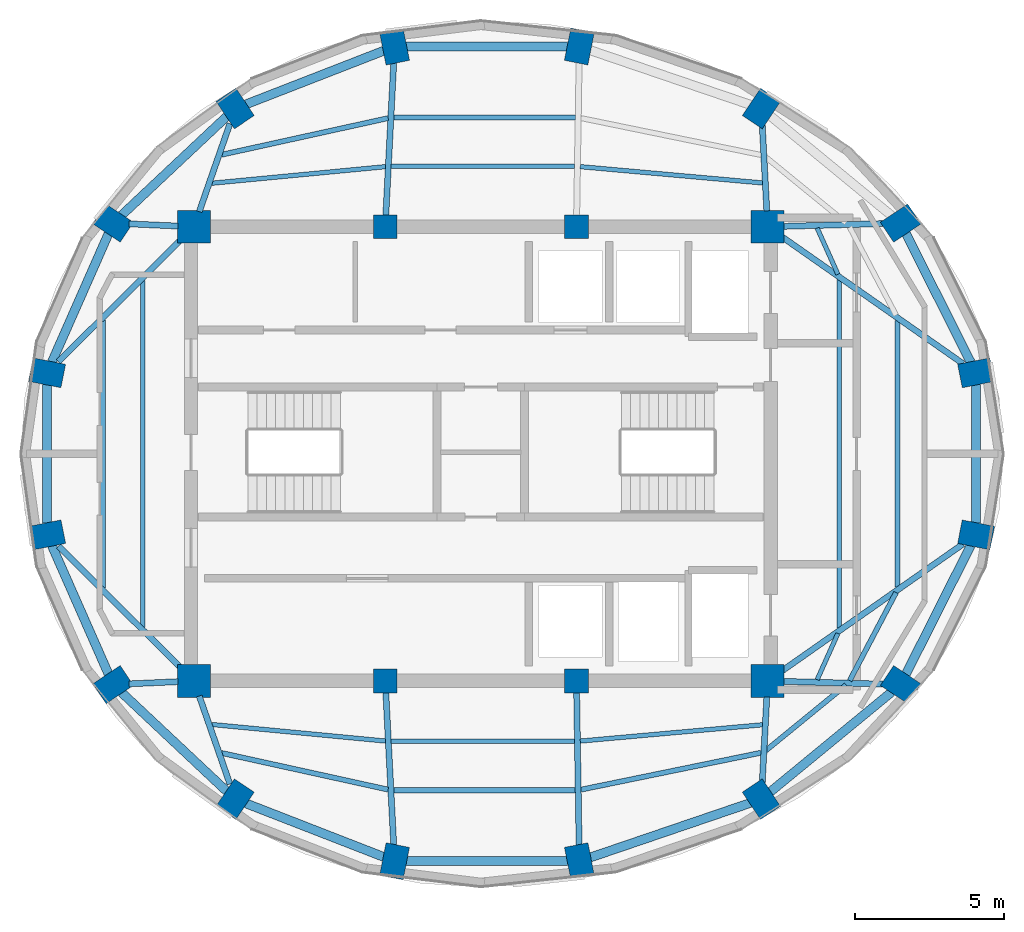
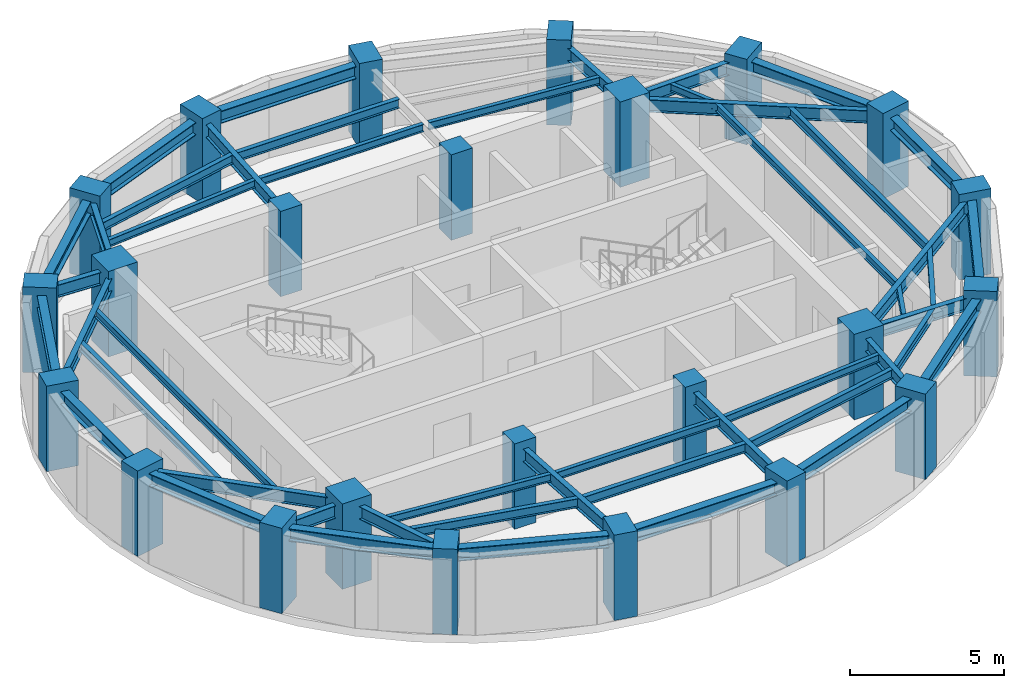
# One storey, part 1 of 5: 48 beams, 24 columns.
"""IFC4 building model written with IfcOpenShell, lengths in metres."""

from ifc_helpers import new_model, si_unit, direction, frame, origin, origin_2d, place, context, subcontext, project, spatial, rectangle, i_section, extrude, material, material_profile, profile_set, type_object, element, save


model = new_model("IFC4")

# Units and contexts
model_context = context("Model", 3, precision=1e-05, world=origin(), true_north=direction((0.0, 1.0)))
body_context = subcontext(model_context, "Body", "Model", "MODEL_VIEW")
ifc_project = project(units=[si_unit("LENGTHUNIT", "METRE"), si_unit("AREAUNIT", "SQUARE_METRE"), si_unit("VOLUMEUNIT", "CUBIC_METRE"), si_unit("PLANEANGLEUNIT", "RADIAN"), si_unit("MASSUNIT", "GRAM", prefix="KILO")], contexts=[model_context])

# Site, building, storey
site_placement = place(None, origin())
site = spatial("IfcSite", under=ifc_project, at=site_placement, CompositionType="ELEMENT")
building_placement = place(site_placement, origin())
building = spatial("IfcBuilding", under=site, at=building_placement, Name="Lazwardi Medical Tower", CompositionType="ELEMENT")
storey_placement = place(building_placement, frame((0.0, 0.0, 302.447998046875)))
storey = spatial("IfcBuildingStorey", under=building, at=storey_placement, Name="L79", CompositionType="ELEMENT", Elevation=302.447998046875)

# Columns
ifc_material_1 = material(Name="Concrete C80/95", Category="concrete")
ifc_material_profile_1 = material_profile(ifc_material_1, rectangle(XDim=1.10009765625, YDim=1.10009765625, at=origin_2d()), Name="RC 1100x1100")
ifc_profile_set_1 = profile_set([ifc_material_profile_1], Name="Concrete C80/95")
column_type_1 = type_object("IfcColumnType", Name="COL-CC-L", PredefinedType="COLUMN", material=ifc_profile_set_1)
for number, where, z_axis, x_axis, name in (
    (1, (26.39990234375, 20.39990234375, 0.0), (0.0, 0.0, 1.0), (1.0, 0.0, 0.0), "Core column CC-01 CC1 L79"),
    (2, (45.60009765625, 20.39990234375, 0.0), (0.0, 0.0, 1.0), (1.0, 0.0, 0.0), "Core column CC-01 CC4 L79"),
    (3, (45.60009765625, 35.60009765625, 0.0), (0.0, 0.0, 1.0), (1.0, 0.0, 0.0), "Core column CC-01 CC5 L79"),
    (4, (26.39990234375, 35.60009765625, 0.0), (0.0, 0.0, 1.0), (1.0, 0.0, 0.0), "Core column CC-01 CC8 L79"),
):
    element("IfcColumn", number, at=place(storey_placement, frame(where, z_axis=z_axis, x_axis=x_axis)), inside=storey, type_object=column_type_1, Name=name, PredefinedType="COLUMN", context=body_context, shape_type="SweptSolid", body=[
        extrude(rectangle(XDim=1.10009765625, YDim=1.10009765625, at=origin_2d()), origin(), (0.0, 0.0, 1.0), 3.387939453125),
    ])
ifc_material_2 = material(Name="Concrete C60/75", Category="concrete")
ifc_material_profile_2 = material_profile(ifc_material_2, rectangle(XDim=0.800048828125, YDim=0.800048828125, at=origin_2d()), Name="RC 800x800")
ifc_profile_set_2 = profile_set([ifc_material_profile_2], Name="Concrete C60/75")
column_type_2 = type_object("IfcColumnType", Name="COL-CC-U", PredefinedType="COLUMN", material=ifc_profile_set_2)
for number, where, z_axis, x_axis, name in (
    (5, (32.800048828125, 20.39990234375, 0.0), (0.0, 0.0, 1.0), (1.0, 0.0, 0.0), "Core column CC-03 CC2 L79"),
    (6, (39.199951171875, 20.39990234375, 0.0), (0.0, 0.0, 1.0), (1.0, 0.0, 0.0), "Core column CC-03 CC3 L79"),
    (7, (39.199951171875, 35.60009765625, 0.0), (0.0, 0.0, 1.0), (1.0, 0.0, 0.0), "Core column CC-03 CC6 L79"),
    (8, (32.800048828125, 35.60009765625, 0.0), (0.0, 0.0, 1.0), (1.0, 0.0, 0.0), "Core column CC-03 CC7 L79"),
):
    element("IfcColumn", number, at=place(storey_placement, frame(where, z_axis=z_axis, x_axis=x_axis)), inside=storey, type_object=column_type_2, Name=name, PredefinedType="COLUMN", context=body_context, shape_type="SweptSolid", body=[
        extrude(rectangle(XDim=0.800048828125, YDim=0.800048828125, at=origin_2d()), origin(), (0.0, 0.0, 1.0), 3.387939453125),
    ])
ifc_material_profile_3 = material_profile(ifc_material_2, rectangle(XDim=1.10009765625, YDim=0.800048828125, at=origin_2d()), Name="CFT-RECT 1100x800")
ifc_profile_set_3 = profile_set([ifc_material_profile_3], Name="Concrete C60/75")
column_type_3 = type_object("IfcColumnType", Name="COL-MC-Z4", PredefinedType="COLUMN", material=ifc_profile_set_3)
for number, where, z_axis, x_axis, name in (
    (9, (39.297119140625, 14.3671875, 0.0), (0.0, 0.0, 1.0), (0.195090322016, -0.980785280403, 0.0), "Mega column MC-06 M01 L79"),
    (10, (45.38916015625, 16.442626953125, 0.0), (0.0, 0.0, 1.0), (0.55557023302, -0.831469612303, 0.0), "Mega column MC-06 M02 L79"),
    (11, (50.0517578125, 20.277587890625, 0.0), (0.0, 0.0, 1.0), (0.831469612303, -0.55557023302, 0.0), "Mega column MC-06 M03 L79"),
    (12, (52.5751953125, 25.2880859375, 0.0), (0.0, 0.0, 1.0), (0.980785280403, -0.195090322016, 0.0), "Mega column MC-06 M04 L79"),
    (13, (52.5751953125, 30.7119140625, 0.0), (0.0, 0.0, 1.0), (0.980785280403, 0.195090322016, 0.0), "Mega column MC-06 M05 L79"),
    (14, (50.0517578125, 35.722412109375, 0.0), (0.0, 0.0, 1.0), (0.831469612303, 0.55557023302, 0.0), "Mega column MC-06 M06 L79"),
    (15, (45.38916015625, 39.557373046875, 0.0), (0.0, 0.0, 1.0), (0.55557023302, 0.831469612303, 0.0), "Mega column MC-06 M07 L79"),
    (16, (39.297119140625, 41.6328125, 0.0), (0.0, 0.0, 1.0), (0.195090322016, 0.980785280403, 0.0), "Mega column MC-06 M08 L79"),
    (17, (33.11279296875, 41.6328125, 0.0), (0.0, 0.0, 1.0), (-0.195090322016, 0.980785280403, 0.0), "Mega column MC-06 M09 L79"),
    (18, (27.777587890625, 39.557373046875, 0.0), (0.0, 0.0, 1.0), (-0.55557023302, 0.831469612303, 0.0), "Mega column MC-06 M10 L79"),
    (19, (23.694091796875, 35.722412109375, 0.0), (0.0, 0.0, 1.0), (-0.831469612303, 0.55557023302, 0.0), "Mega column MC-06 M11 L79"),
    (20, (21.484375, 30.7119140625, 0.0), (0.0, 0.0, 1.0), (-0.980785280403, 0.195090322016, 0.0), "Mega column MC-06 M12 L79"),
    (21, (21.484375, 25.2880859375, 0.0), (0.0, 0.0, 1.0), (-0.980785280403, -0.195090322016, 0.0), "Mega column MC-06 M13 L79"),
    (22, (23.694091796875, 20.277587890625, 0.0), (0.0, 0.0, 1.0), (-0.831469612303, -0.55557023302, 0.0), "Mega column MC-06 M14 L79"),
    (23, (27.777587890625, 16.442626953125, 0.0), (0.0, 0.0, 1.0), (-0.55557023302, -0.831469612303, 0.0), "Mega column MC-06 M15 L79"),
    (24, (33.11279296875, 14.3671875, 0.0), (0.0, 0.0, 1.0), (-0.195090322016, -0.980785280403, 0.0), "Mega column MC-06 M16 L79"),
):
    element("IfcColumn", number, at=place(storey_placement, frame(where, z_axis=z_axis, x_axis=x_axis)), inside=storey, type_object=column_type_3, Name=name, PredefinedType="COLUMN", context=body_context, shape_type="SweptSolid", body=[
        extrude(rectangle(XDim=1.10009765625, YDim=0.800048828125, at=origin_2d()), origin(), (0.0, 0.0, 1.0), 3.387939453125),
    ])

# Beams
ifc_material_3 = material(Name="Steel S355", Category="steel")
ifc_material_profile_4 = material_profile(ifc_material_3, i_section(OverallWidth=0.300048828125, OverallDepth=0.5, WebThickness=0.014404296875, FlangeThickness=0.028076171875, at=origin_2d()), Name="HEB 500")
ifc_profile_set_4 = profile_set([ifc_material_profile_4], Name="Steel S355")
beam_type_1 = type_object("IfcBeamType", Name="BM-RB-Z4", PredefinedType="BEAM", material=ifc_profile_set_4)
beam_1_placement = place(storey_placement, frame((39.666259765625, 14.492919921875, 2.818115234375), z_axis=(0.94657339, 0.322488476296, 0.0), x_axis=(-0.322488476296, 0.94657339, 0.0)))
element("IfcBeam", 25, at=beam_1_placement, inside=storey, type_object=beam_type_1, Name="Ring beam RB-05 B01 L79", PredefinedType="BEAM", context=body_context, shape_type="SweptSolid", body=[
    extrude(i_section(OverallWidth=0.300048828125, OverallDepth=0.5, WebThickness=0.014404296875, FlangeThickness=0.028076171875, at=origin_2d()), origin(), (0.0, 0.0, 1.0), 5.656005859375),
])
beam_2_placement = place(storey_placement, frame((45.690185546875, 16.690185546875, 2.818115234375), z_axis=(0.772320174437, 0.635233459571, 0.0), x_axis=(-0.635233459571, 0.772320174437, 0.0)))
element("IfcBeam", 26, at=beam_2_placement, inside=storey, type_object=beam_type_1, Name="Ring beam RB-05 B02 L79", PredefinedType="BEAM", context=body_context, shape_type="SweptSolid", body=[
    extrude(i_section(OverallWidth=0.300048828125, OverallDepth=0.5, WebThickness=0.014404296875, FlangeThickness=0.028076171875, at=origin_2d()), origin(), (0.0, 0.0, 1.0), 5.25732421875),
])
beam_3_placement = place(storey_placement, frame((50.227294921875, 20.6259765625, 2.818115234375), z_axis=(0.449799625666, 0.89312949607, 0.0), x_axis=(-0.89312949607, 0.449799625666, 0.0)))
element("IfcBeam", 27, at=beam_3_placement, inside=storey, type_object=beam_type_1, Name="Ring beam RB-05 B03 L79", PredefinedType="BEAM", context=body_context, shape_type="SweptSolid", body=[
    extrude(i_section(OverallWidth=0.300048828125, OverallDepth=0.5, WebThickness=0.014404296875, FlangeThickness=0.028076171875, at=origin_2d()), origin(), (0.0, 0.0, 1.0), 4.830078125),
])
beam_4_placement = place(storey_placement, frame((52.5751953125, 25.67822265625, 2.818115234375), z_axis=(0.0, 1.0, 0.0), x_axis=(-1.0, 0.0, 0.0)))
element("IfcBeam", 28, at=beam_4_placement, inside=storey, type_object=beam_type_1, Name="Ring beam RB-05 B04 L79", PredefinedType="BEAM", context=body_context, shape_type="SweptSolid", body=[
    extrude(i_section(OverallWidth=0.300048828125, OverallDepth=0.5, WebThickness=0.014404296875, FlangeThickness=0.028076171875, at=origin_2d()), origin(), (0.0, 0.0, 1.0), 4.6435546875),
])
beam_5_placement = place(storey_placement, frame((52.39990234375, 31.06005859375, 2.818115234375), z_axis=(-0.449799625666, 0.89312949607, 0.0), x_axis=(-0.89312949607, -0.449799625666, 0.0)))
element("IfcBeam", 29, at=beam_5_placement, inside=storey, type_object=beam_type_1, Name="Ring beam RB-05 B05 L79", PredefinedType="BEAM", context=body_context, shape_type="SweptSolid", body=[
    extrude(i_section(OverallWidth=0.300048828125, OverallDepth=0.5, WebThickness=0.014404296875, FlangeThickness=0.028076171875, at=origin_2d()), origin(), (0.0, 0.0, 1.0), 4.830078125),
])
beam_6_placement = place(storey_placement, frame((38.906982421875, 41.6328125, 2.818115234375), z_axis=(-1.0, 0.0, 0.0), x_axis=(0.0, -1.0, 0.0)))
element("IfcBeam", 30, at=beam_6_placement, inside=storey, type_object=beam_type_1, Name="Ring beam RB-05 B08 L79", PredefinedType="BEAM", context=body_context, shape_type="SweptSolid", body=[
    extrude(i_section(OverallWidth=0.300048828125, OverallDepth=0.5, WebThickness=0.014404296875, FlangeThickness=0.028076171875, at=origin_2d()), origin(), (0.0, 0.0, 1.0), 5.404296875),
])
beam_7_placement = place(storey_placement, frame((32.749267578125, 41.491455078125, 2.818115234375), z_axis=(-0.931959260109, -0.362563011761, 0.0), x_axis=(0.362563011761, -0.931959260109, 0.0)))
element("IfcBeam", 31, at=beam_7_placement, inside=storey, type_object=beam_type_1, Name="Ring beam RB-05 B09 L79", PredefinedType="BEAM", context=body_context, shape_type="SweptSolid", body=[
    extrude(i_section(OverallWidth=0.300048828125, OverallDepth=0.5, WebThickness=0.014404296875, FlangeThickness=0.028076171875, at=origin_2d()), origin(), (0.0, 0.0, 1.0), 4.944580078125),
])
beam_8_placement = place(storey_placement, frame((27.493408203125, 39.290283203125, 2.818115234375), z_axis=(-0.728960615285, -0.684555637887, 0.0), x_axis=(0.684555637887, -0.728960615285, 0.0)))
element("IfcBeam", 32, at=beam_8_placement, inside=storey, type_object=beam_type_1, Name="Ring beam RB-05 B10 L79", PredefinedType="BEAM", context=body_context, shape_type="SweptSolid", body=[
    extrude(i_section(OverallWidth=0.300048828125, OverallDepth=0.5, WebThickness=0.014404296875, FlangeThickness=0.028076171875, at=origin_2d()), origin(), (0.0, 0.0, 1.0), 4.82177734375),
])
beam_9_placement = place(storey_placement, frame((23.536865234375, 35.365478515625, 2.818115234375), z_axis=(-0.403522451548, -0.914969743268, 0.0), x_axis=(0.914969743268, -0.403522451548, 0.0)))
element("IfcBeam", 33, at=beam_9_placement, inside=storey, type_object=beam_type_1, Name="Ring beam RB-05 B11 L79", PredefinedType="BEAM", context=body_context, shape_type="SweptSolid", body=[
    extrude(i_section(OverallWidth=0.300048828125, OverallDepth=0.5, WebThickness=0.014404296875, FlangeThickness=0.028076171875, at=origin_2d()), origin(), (0.0, 0.0, 1.0), 4.6962890625),
])
beam_10_placement = place(storey_placement, frame((21.484375, 30.32177734375, 2.818115234375), z_axis=(0.0, -1.0, 0.0), x_axis=(1.0, 0.0, 0.0)))
element("IfcBeam", 34, at=beam_10_placement, inside=storey, type_object=beam_type_1, Name="Ring beam RB-05 B12 L79", PredefinedType="BEAM", context=body_context, shape_type="SweptSolid", body=[
    extrude(i_section(OverallWidth=0.300048828125, OverallDepth=0.5, WebThickness=0.014404296875, FlangeThickness=0.028076171875, at=origin_2d()), origin(), (0.0, 0.0, 1.0), 4.6435546875),
])
beam_11_placement = place(storey_placement, frame((21.641845703125, 24.931396484375, 2.818115234375), z_axis=(0.403522451548, -0.914969743268, 0.0), x_axis=(0.914969743268, 0.403522451548, 0.0)))
element("IfcBeam", 35, at=beam_11_placement, inside=storey, type_object=beam_type_1, Name="Ring beam RB-05 B13 L79", PredefinedType="BEAM", context=body_context, shape_type="SweptSolid", body=[
    extrude(i_section(OverallWidth=0.300048828125, OverallDepth=0.5, WebThickness=0.014404296875, FlangeThickness=0.028076171875, at=origin_2d()), origin(), (0.0, 0.0, 1.0), 4.6962890625),
])
beam_12_placement = place(storey_placement, frame((23.978515625, 20.010498046875, 2.818115234375), z_axis=(0.728960615285, -0.684555637887, 0.0), x_axis=(0.684555637887, 0.728960615285, 0.0)))
element("IfcBeam", 36, at=beam_12_placement, inside=storey, type_object=beam_type_1, Name="Ring beam RB-05 B14 L79", PredefinedType="BEAM", context=body_context, shape_type="SweptSolid", body=[
    extrude(i_section(OverallWidth=0.300048828125, OverallDepth=0.5, WebThickness=0.014404296875, FlangeThickness=0.028076171875, at=origin_2d()), origin(), (0.0, 0.0, 1.0), 4.82177734375),
])
beam_13_placement = place(storey_placement, frame((28.14111328125, 16.30126953125, 2.818115234375), z_axis=(0.931959260109, -0.362563011761, 0.0), x_axis=(0.362563011761, 0.931959260109, 0.0)))
element("IfcBeam", 37, at=beam_13_placement, inside=storey, type_object=beam_type_1, Name="Ring beam RB-05 B15 L79", PredefinedType="BEAM", context=body_context, shape_type="SweptSolid", body=[
    extrude(i_section(OverallWidth=0.300048828125, OverallDepth=0.5, WebThickness=0.014404296875, FlangeThickness=0.028076171875, at=origin_2d()), origin(), (0.0, 0.0, 1.0), 4.944580078125),
])
beam_14_placement = place(storey_placement, frame((33.502685546875, 14.3671875, 2.818115234375), z_axis=(1.0, 0.0, 0.0), x_axis=(0.0, 1.0, 0.0)))
element("IfcBeam", 38, at=beam_14_placement, inside=storey, type_object=beam_type_1, Name="Ring beam RB-05 B16 L79", PredefinedType="BEAM", context=body_context, shape_type="SweptSolid", body=[
    extrude(i_section(OverallWidth=0.300048828125, OverallDepth=0.5, WebThickness=0.014404296875, FlangeThickness=0.028076171875, at=origin_2d()), origin(), (0.0, 0.0, 1.0), 5.404296875),
])
ifc_material_profile_5 = material_profile(ifc_material_3, i_section(OverallWidth=0.199951171875, OverallDepth=0.5, WebThickness=0.01025390625, FlangeThickness=0.01611328125, at=origin_2d()), Name="IPE 500")
ifc_profile_set_5 = profile_set([ifc_material_profile_5], Name="Steel S355")
beam_type_2 = type_object("IfcBeamType", Name="BM-RG-W3", PredefinedType="BEAM", material=ifc_profile_set_5)
beam_15_placement = place(storey_placement, frame((39.288330078125, 14.902099609375, 2.818115234375), z_axis=(-0.016042248199, 0.999871314856, 0.0), x_axis=(-0.999871314856, -0.016042248199, 0.0)))
element("IfcBeam", 39, at=beam_15_placement, inside=storey, type_object=beam_type_2, Name="Radial girder RG-04 R01 L79", PredefinedType="BEAM", context=body_context, shape_type="SweptSolid", body=[
    extrude(i_section(OverallWidth=0.199951171875, OverallDepth=0.5, WebThickness=0.01025390625, FlangeThickness=0.01611328125, at=origin_2d()), origin(), (0.0, 0.0, 1.0), 5.113525390625),
])
beam_16_placement = place(storey_placement, frame((45.41748046875, 16.976806640625, 2.818115234375), z_axis=(0.053249788899, 0.998581223528, 0.0), x_axis=(-0.998581223528, 0.053249788899, 0.0)))
element("IfcBeam", 40, at=beam_16_placement, inside=storey, type_object=beam_type_2, Name="Radial girder RG-04 R02 L79", PredefinedType="BEAM", context=body_context, shape_type="SweptSolid", body=[
    extrude(i_section(OverallWidth=0.199951171875, OverallDepth=0.5, WebThickness=0.01025390625, FlangeThickness=0.01611328125, at=origin_2d()), origin(), (0.0, 0.0, 1.0), 2.89306640625),
])
beam_17_placement = place(storey_placement, frame((49.51708984375, 20.292236328125, 2.818115234375), z_axis=(-0.999622059591, 0.027490688949, 0.0), x_axis=(-0.027490688949, -0.999622059591, 0.0)))
element("IfcBeam", 41, at=beam_17_placement, inside=storey, type_object=beam_type_2, Name="Radial girder RG-04 R03 L79", PredefinedType="BEAM", context=body_context, shape_type="SweptSolid", body=[
    extrude(i_section(OverallWidth=0.199951171875, OverallDepth=0.5, WebThickness=0.01025390625, FlangeThickness=0.01611328125, at=origin_2d()), origin(), (0.0, 0.0, 1.0), 3.383544921875),
])
for number, where, z_axis, x_axis, name in (
    (42, (52.13720703125, 24.981201171875, 2.818115234375), (-0.818929959662, -0.573893475454, 0.0), (0.573893475454, -0.818929959662, 0.0), "Radial girder RG-04 R04 L79"),
    (43, (52.13720703125, 31.018798828125, 2.818115234375), (-0.818929959662, 0.573893475454, 0.0), (-0.573893475454, -0.818929959662, 0.0), "Radial girder RG-04 R05 L79"),
):
    element("IfcBeam", number, at=place(storey_placement, frame(where, z_axis=z_axis, x_axis=x_axis)), inside=storey, type_object=beam_type_2, Name=name, PredefinedType="BEAM", context=body_context, shape_type="SweptSolid", body=[
        extrude(i_section(OverallWidth=0.199951171875, OverallDepth=0.5, WebThickness=0.01025390625, FlangeThickness=0.01611328125, at=origin_2d()), origin(), (0.0, 0.0, 1.0), 7.44775390625),
    ])
beam_18_placement = place(storey_placement, frame((49.51708984375, 35.707763671875, 2.818115234375), z_axis=(-0.999622059591, -0.027490688949, 0.0), x_axis=(0.027490688949, -0.999622059591, 0.0)))
element("IfcBeam", 44, at=beam_18_placement, inside=storey, type_object=beam_type_2, Name="Radial girder RG-04 R06 L79", PredefinedType="BEAM", context=body_context, shape_type="SweptSolid", body=[
    extrude(i_section(OverallWidth=0.199951171875, OverallDepth=0.5, WebThickness=0.01025390625, FlangeThickness=0.01611328125, at=origin_2d()), origin(), (0.0, 0.0, 1.0), 3.383544921875),
])
beam_19_placement = place(storey_placement, frame((45.41748046875, 39.023193359375, 2.818115234375), z_axis=(0.053249788899, -0.998581223528, 0.0), x_axis=(0.998581223528, 0.053249788899, 0.0)))
element("IfcBeam", 45, at=beam_19_placement, inside=storey, type_object=beam_type_2, Name="Radial girder RG-04 R07 L79", PredefinedType="BEAM", context=body_context, shape_type="SweptSolid", body=[
    extrude(i_section(OverallWidth=0.199951171875, OverallDepth=0.5, WebThickness=0.01025390625, FlangeThickness=0.01611328125, at=origin_2d()), origin(), (0.0, 0.0, 1.0), 2.89306640625),
])
beam_20_placement = place(storey_placement, frame((33.0849609375, 41.0986328125, 2.818115234375), z_axis=(-0.051775595379, -0.998658744378, 0.0), x_axis=(0.998658744378, -0.051775595379, 0.0)))
element("IfcBeam", 46, at=beam_20_placement, inside=storey, type_object=beam_type_2, Name="Radial girder RG-04 R09 L79", PredefinedType="BEAM", context=body_context, shape_type="SweptSolid", body=[
    extrude(i_section(OverallWidth=0.199951171875, OverallDepth=0.5, WebThickness=0.01025390625, FlangeThickness=0.01611328125, at=origin_2d()), origin(), (0.0, 0.0, 1.0), 5.120849609375),
])
beam_21_placement = place(storey_placement, frame((27.601806640625, 39.052001953125, 2.818115234375), z_axis=(-0.32878160191, -0.944405981687, 0.0), x_axis=(0.944405981687, -0.32878160191, 0.0)))
element("IfcBeam", 47, at=beam_21_placement, inside=storey, type_object=beam_type_2, Name="Radial girder RG-04 R10 L79", PredefinedType="BEAM", context=body_context, shape_type="SweptSolid", body=[
    extrude(i_section(OverallWidth=0.199951171875, OverallDepth=0.5, WebThickness=0.01025390625, FlangeThickness=0.01611328125, at=origin_2d()), origin(), (0.0, 0.0, 1.0), 3.120361328125),
])
beam_22_placement = place(storey_placement, frame((24.228759765625, 35.6982421875, 2.818115234375), z_axis=(0.9989801824, -0.045150804783, 0.0), x_axis=(0.045150804783, 0.9989801824, 0.0)))
element("IfcBeam", 48, at=beam_22_placement, inside=storey, type_object=beam_type_2, Name="Radial girder RG-04 R11 L79", PredefinedType="BEAM", context=body_context, shape_type="SweptSolid", body=[
    extrude(i_section(OverallWidth=0.199951171875, OverallDepth=0.5, WebThickness=0.01025390625, FlangeThickness=0.01611328125, at=origin_2d()), origin(), (0.0, 0.0, 1.0), 1.638427734375),
])
for number, where, z_axis, x_axis, name in (
    (49, (21.86376953125, 31.089111328125, 2.818115234375), (0.709061424787, 0.705146719399, 0.0), (-0.705146719399, 0.709061424787, 0.0), "Radial girder RG-04 R12 L79"),
    (50, (21.86376953125, 24.910888671875, 2.818115234375), (0.709061424787, -0.705146719399, 0.0), (0.705146719399, 0.709061424787, 0.0), "Radial girder RG-04 R13 L79"),
):
    element("IfcBeam", number, at=place(storey_placement, frame(where, z_axis=z_axis, x_axis=x_axis)), inside=storey, type_object=beam_type_2, Name=name, PredefinedType="BEAM", context=body_context, shape_type="SweptSolid", body=[
        extrude(i_section(OverallWidth=0.199951171875, OverallDepth=0.5, WebThickness=0.01025390625, FlangeThickness=0.01611328125, at=origin_2d()), origin(), (0.0, 0.0, 1.0), 5.8623046875),
    ])
beam_23_placement = place(storey_placement, frame((24.228759765625, 20.3017578125, 2.818115234375), z_axis=(0.9989801824, 0.045150804783, 0.0), x_axis=(-0.045150804783, 0.9989801824, 0.0)))
element("IfcBeam", 51, at=beam_23_placement, inside=storey, type_object=beam_type_2, Name="Radial girder RG-04 R14 L79", PredefinedType="BEAM", context=body_context, shape_type="SweptSolid", body=[
    extrude(i_section(OverallWidth=0.199951171875, OverallDepth=0.5, WebThickness=0.01025390625, FlangeThickness=0.01611328125, at=origin_2d()), origin(), (0.0, 0.0, 1.0), 1.638427734375),
])
beam_24_placement = place(storey_placement, frame((27.601806640625, 16.947998046875, 2.818115234375), z_axis=(-0.32878160191, 0.944405981687, 0.0), x_axis=(-0.944405981687, -0.32878160191, 0.0)))
element("IfcBeam", 52, at=beam_24_placement, inside=storey, type_object=beam_type_2, Name="Radial girder RG-04 R15 L79", PredefinedType="BEAM", context=body_context, shape_type="SweptSolid", body=[
    extrude(i_section(OverallWidth=0.199951171875, OverallDepth=0.5, WebThickness=0.01025390625, FlangeThickness=0.01611328125, at=origin_2d()), origin(), (0.0, 0.0, 1.0), 3.120361328125),
])
beam_25_placement = place(storey_placement, frame((33.0849609375, 14.9013671875, 2.818115234375), z_axis=(-0.051775595379, 0.998658744378, 0.0), x_axis=(-0.998658744378, -0.051775595379, 0.0)))
element("IfcBeam", 53, at=beam_25_placement, inside=storey, type_object=beam_type_2, Name="Radial girder RG-04 R16 L79", PredefinedType="BEAM", context=body_context, shape_type="SweptSolid", body=[
    extrude(i_section(OverallWidth=0.199951171875, OverallDepth=0.5, WebThickness=0.01025390625, FlangeThickness=0.01611328125, at=origin_2d()), origin(), (0.0, 0.0, 1.0), 5.120849609375),
])
ifc_material_profile_6 = material_profile(ifc_material_3, i_section(OverallWidth=0.169921875, OverallDepth=0.360107421875, WebThickness=0.008056640625, FlangeThickness=0.0126953125, at=origin_2d()), Name="IPE 360")
ifc_profile_set_6 = profile_set([ifc_material_profile_6], Name="Steel S355")
beam_type_3 = type_object("IfcBeamType", Name="BM-SJ-02", PredefinedType="JOIST", material=ifc_profile_set_6)
beam_26_placement = place(storey_placement, frame((39.351806640625, 16.76171875, 2.887939453125), z_axis=(0.979616916129, 0.200874830763, 0.0), x_axis=(-0.200874830763, 0.979616916129, 0.0)))
element("IfcBeam", 54, at=beam_26_placement, inside=storey, type_object=beam_type_3, Name="Secondary joist SJ-02 R1 B01 L79", PredefinedType="JOIST", context=body_context, shape_type="SweptSolid", body=[
    extrude(i_section(OverallWidth=0.169921875, OverallDepth=0.360107421875, WebThickness=0.008056640625, FlangeThickness=0.0126953125, at=origin_2d()), origin(), (0.0, 0.0, 1.0), 6.153564453125),
])
beam_27_placement = place(storey_placement, frame((45.546630859375, 18.076904296875, 2.887939453125), z_axis=(0.774431855027, 0.632657333727, 0.0), x_axis=(-0.632657333727, 0.774431855027, 0.0)))
element("IfcBeam", 55, at=beam_27_placement, inside=storey, type_object=beam_type_3, Name="Secondary joist SJ-02 R1 B02 L79", PredefinedType="JOIST", context=body_context, shape_type="SweptSolid", body=[
    extrude(i_section(OverallWidth=0.169921875, OverallDepth=0.360107421875, WebThickness=0.008056640625, FlangeThickness=0.0126953125, at=origin_2d()), origin(), (0.0, 0.0, 1.0), 3.45947265625),
])
beam_28_placement = place(storey_placement, frame((48.34375, 20.409912109375, 2.887939453125), z_axis=(0.466129832602, 0.884716326942, 0.0), x_axis=(-0.884716326942, 0.466129832602, 0.0)))
element("IfcBeam", 56, at=beam_28_placement, inside=storey, type_object=beam_type_3, Name="Secondary joist SJ-02 R1 B03 L79", PredefinedType="JOIST", context=body_context, shape_type="SweptSolid", body=[
    extrude(i_section(OverallWidth=0.169921875, OverallDepth=0.360107421875, WebThickness=0.008056640625, FlangeThickness=0.0126953125, at=origin_2d()), origin(), (0.0, 0.0, 1.0), 3.332763671875),
])
beam_29_placement = place(storey_placement, frame((49.94140625, 23.53759765625, 2.887939453125), z_axis=(0.0, 1.0, 0.0), x_axis=(-1.0, 0.0, 0.0)))
element("IfcBeam", 57, at=beam_29_placement, inside=storey, type_object=beam_type_3, Name="Secondary joist SJ-02 R1 B04 L79", PredefinedType="JOIST", context=body_context, shape_type="SweptSolid", body=[
    extrude(i_section(OverallWidth=0.169921875, OverallDepth=0.360107421875, WebThickness=0.008056640625, FlangeThickness=0.0126953125, at=origin_2d()), origin(), (0.0, 0.0, 1.0), 8.9248046875),
])
beam_30_placement = place(storey_placement, frame((39.163818359375, 39.25732421875, 2.887939453125), z_axis=(-0.999999999194, 4.0160643e-05, 0.0), x_axis=(-4.0160643e-05, -0.999999999194, 0.0)))
element("IfcBeam", 58, at=beam_30_placement, inside=storey, type_object=beam_type_3, Name="Secondary joist SJ-02 R1 B08 L79", PredefinedType="JOIST", context=body_context, shape_type="SweptSolid", body=[
    extrude(i_section(OverallWidth=0.169921875, OverallDepth=0.360107421875, WebThickness=0.008056640625, FlangeThickness=0.0126953125, at=origin_2d()), origin(), (0.0, 0.0, 1.0), 6.0791015625),
])
beam_31_placement = place(storey_placement, frame((32.896728515625, 39.237060546875, 2.887939453125), z_axis=(-0.976659012992, -0.214795652522, 0.0), x_axis=(0.214795652522, -0.976659012992, 0.0)))
element("IfcBeam", 59, at=beam_31_placement, inside=storey, type_object=beam_type_3, Name="Secondary joist SJ-02 R1 B09 L79", PredefinedType="JOIST", context=body_context, shape_type="SweptSolid", body=[
    extrude(i_section(OverallWidth=0.169921875, OverallDepth=0.360107421875, WebThickness=0.008056640625, FlangeThickness=0.0126953125, at=origin_2d()), origin(), (0.0, 0.0, 1.0), 5.70458984375),
])
beam_32_placement = place(storey_placement, frame((23.360107421875, 32.482177734375, 2.887939453125), z_axis=(0.0, -1.0, 0.0), x_axis=(1.0, 0.0, 0.0)))
element("IfcBeam", 60, at=beam_32_placement, inside=storey, type_object=beam_type_3, Name="Secondary joist SJ-02 R1 B12 L79", PredefinedType="JOIST", context=body_context, shape_type="SweptSolid", body=[
    extrude(i_section(OverallWidth=0.169921875, OverallDepth=0.360107421875, WebThickness=0.008056640625, FlangeThickness=0.0126953125, at=origin_2d()), origin(), (0.0, 0.0, 1.0), 8.96435546875),
])
beam_33_placement = place(storey_placement, frame((27.3251953125, 17.98828125, 2.887939453125), z_axis=(0.976659012992, -0.214795652522, 0.0), x_axis=(0.214795652522, 0.976659012992, 0.0)))
element("IfcBeam", 61, at=beam_33_placement, inside=storey, type_object=beam_type_3, Name="Secondary joist SJ-02 R1 B15 L79", PredefinedType="JOIST", context=body_context, shape_type="SweptSolid", body=[
    extrude(i_section(OverallWidth=0.169921875, OverallDepth=0.360107421875, WebThickness=0.008056640625, FlangeThickness=0.0126953125, at=origin_2d()), origin(), (0.0, 0.0, 1.0), 5.70458984375),
])
beam_34_placement = place(storey_placement, frame((33.084716796875, 16.742431640625, 2.887939453125), z_axis=(0.999999999194, 4.0160643e-05, 0.0), x_axis=(-4.0160643e-05, 0.999999999194, 0.0)))
element("IfcBeam", 62, at=beam_34_placement, inside=storey, type_object=beam_type_3, Name="Secondary joist SJ-02 R1 B16 L79", PredefinedType="JOIST", context=body_context, shape_type="SweptSolid", body=[
    extrude(i_section(OverallWidth=0.169921875, OverallDepth=0.360107421875, WebThickness=0.008056640625, FlangeThickness=0.0126953125, at=origin_2d()), origin(), (0.0, 0.0, 1.0), 6.0791015625),
])
ifc_material_profile_7 = material_profile(ifc_material_3, i_section(OverallWidth=0.14990234375, OverallDepth=0.300048828125, WebThickness=0.007080078125, FlangeThickness=0.0107421875, at=origin_2d()), Name="IPE 300")
ifc_profile_set_7 = profile_set([ifc_material_profile_7], Name="Steel S355")
beam_type_4 = type_object("IfcBeamType", Name="BM-SJ-03", PredefinedType="JOIST", material=ifc_profile_set_7)
beam_35_placement = place(storey_placement, frame((39.3271484375, 18.38720703125, 2.91796875), z_axis=(0.996023505872, 0.089090828656, 0.0), x_axis=(-0.089090828656, 0.996023505872, 0.0)))
element("IfcBeam", 63, at=beam_35_placement, inside=storey, type_object=beam_type_4, Name="Secondary joist SJ-03 R2 B01 L79", PredefinedType="JOIST", context=body_context, shape_type="SweptSolid", body=[
    extrude(i_section(OverallWidth=0.14990234375, OverallDepth=0.300048828125, WebThickness=0.007080078125, FlangeThickness=0.0107421875, at=origin_2d()), origin(), (0.0, 0.0, 1.0), 6.124755859375),
])
beam_36_placement = place(storey_placement, frame((47.256103515625, 20.442138671875, 2.91796875), z_axis=(0.409957352151, 0.912104692136, 0.0), x_axis=(-0.912104692136, 0.409957352151, 0.0)))
element("IfcBeam", 64, at=beam_36_placement, inside=storey, type_object=beam_type_4, Name="Secondary joist SJ-03 R2 B03 L79", PredefinedType="JOIST", context=body_context, shape_type="SweptSolid", body=[
    extrude(i_section(OverallWidth=0.14990234375, OverallDepth=0.300048828125, WebThickness=0.007080078125, FlangeThickness=0.0107421875, at=origin_2d()), origin(), (0.0, 0.0, 1.0), 1.69482421875),
])
beam_37_placement = place(storey_placement, frame((47.98974609375, 22.169677734375, 2.91796875), z_axis=(0.0, 1.0, 0.0), x_axis=(-1.0, 0.0, 0.0)))
element("IfcBeam", 65, at=beam_37_placement, inside=storey, type_object=beam_type_4, Name="Secondary joist SJ-03 R2 B04 L79", PredefinedType="JOIST", context=body_context, shape_type="SweptSolid", body=[
    extrude(i_section(OverallWidth=0.14990234375, OverallDepth=0.300048828125, WebThickness=0.007080078125, FlangeThickness=0.0107421875, at=origin_2d()), origin(), (0.0, 0.0, 1.0), 11.66064453125),
])
beam_38_placement = place(storey_placement, frame((47.950927734375, 34.011962890625, 2.91796875), z_axis=(-0.409957352151, 0.912104692136, 0.0), x_axis=(-0.912104692136, -0.409957352151, 0.0)))
element("IfcBeam", 66, at=beam_38_placement, inside=storey, type_object=beam_type_4, Name="Secondary joist SJ-03 R2 B05 L79", PredefinedType="JOIST", context=body_context, shape_type="SweptSolid", body=[
    extrude(i_section(OverallWidth=0.14990234375, OverallDepth=0.300048828125, WebThickness=0.007080078125, FlangeThickness=0.0107421875, at=origin_2d()), origin(), (0.0, 0.0, 1.0), 1.69482421875),
])
beam_39_placement = place(storey_placement, frame((45.427490234375, 37.067138671875, 2.91796875), z_axis=(-0.996023505872, 0.089090828656, 0.0), x_axis=(-0.089090828656, -0.996023505872, 0.0)))
element("IfcBeam", 67, at=beam_39_placement, inside=storey, type_object=beam_type_4, Name="Secondary joist SJ-03 R2 B07 L79", PredefinedType="JOIST", context=body_context, shape_type="SweptSolid", body=[
    extrude(i_section(OverallWidth=0.14990234375, OverallDepth=0.300048828125, WebThickness=0.007080078125, FlangeThickness=0.0107421875, at=origin_2d()), origin(), (0.0, 0.0, 1.0), 6.124755859375),
])
beam_40_placement = place(storey_placement, frame((39.137451171875, 37.62109375, 2.91796875), z_axis=(-1.0, 0.0, 0.0), x_axis=(0.0, -1.0, 0.0)))
element("IfcBeam", 68, at=beam_40_placement, inside=storey, type_object=beam_type_4, Name="Secondary joist SJ-03 R2 B08 L79", PredefinedType="JOIST", context=body_context, shape_type="SweptSolid", body=[
    extrude(i_section(OverallWidth=0.14990234375, OverallDepth=0.300048828125, WebThickness=0.007080078125, FlangeThickness=0.0107421875, at=origin_2d()), origin(), (0.0, 0.0, 1.0), 6.1376953125),
])
beam_41_placement = place(storey_placement, frame((32.810302734375, 37.612060546875, 2.91796875), z_axis=(-0.995475904255, -0.095014336014, 0.0), x_axis=(0.095014336014, -0.995475904255, 0.0)))
element("IfcBeam", 69, at=beam_41_placement, inside=storey, type_object=beam_type_4, Name="Secondary joist SJ-03 R2 B09 L79", PredefinedType="JOIST", context=body_context, shape_type="SweptSolid", body=[
    extrude(i_section(OverallWidth=0.14990234375, OverallDepth=0.300048828125, WebThickness=0.007080078125, FlangeThickness=0.0107421875, at=origin_2d()), origin(), (0.0, 0.0, 1.0), 5.837890625),
])
beam_42_placement = place(storey_placement, frame((24.6904296875, 33.804931640625, 2.91796875), z_axis=(0.0, -1.0, 0.0), x_axis=(1.0, 0.0, 0.0)))
element("IfcBeam", 70, at=beam_42_placement, inside=storey, type_object=beam_type_4, Name="Secondary joist SJ-03 R2 B12 L79", PredefinedType="JOIST", context=body_context, shape_type="SweptSolid", body=[
    extrude(i_section(OverallWidth=0.14990234375, OverallDepth=0.300048828125, WebThickness=0.007080078125, FlangeThickness=0.0107421875, at=origin_2d()), origin(), (0.0, 0.0, 1.0), 11.60986328125),
])
beam_43_placement = place(storey_placement, frame((26.998779296875, 18.942626953125, 2.91796875), z_axis=(0.995475904255, -0.095014336014, 0.0), x_axis=(0.095014336014, 0.995475904255, 0.0)))
element("IfcBeam", 71, at=beam_43_placement, inside=storey, type_object=beam_type_4, Name="Secondary joist SJ-03 R2 B15 L79", PredefinedType="JOIST", context=body_context, shape_type="SweptSolid", body=[
    extrude(i_section(OverallWidth=0.14990234375, OverallDepth=0.300048828125, WebThickness=0.007080078125, FlangeThickness=0.0107421875, at=origin_2d()), origin(), (0.0, 0.0, 1.0), 5.837890625),
])
beam_44_placement = place(storey_placement, frame((32.999755859375, 18.37890625, 2.91796875), z_axis=(1.0, 0.0, 0.0), x_axis=(0.0, 1.0, 0.0)))
element("IfcBeam", 72, at=beam_44_placement, inside=storey, type_object=beam_type_4, Name="Secondary joist SJ-03 R2 B16 L79", PredefinedType="JOIST", context=body_context, shape_type="SweptSolid", body=[
    extrude(i_section(OverallWidth=0.14990234375, OverallDepth=0.300048828125, WebThickness=0.007080078125, FlangeThickness=0.0107421875, at=origin_2d()), origin(), (0.0, 0.0, 1.0), 6.1376953125),
])

save(model, "model.ifc")
